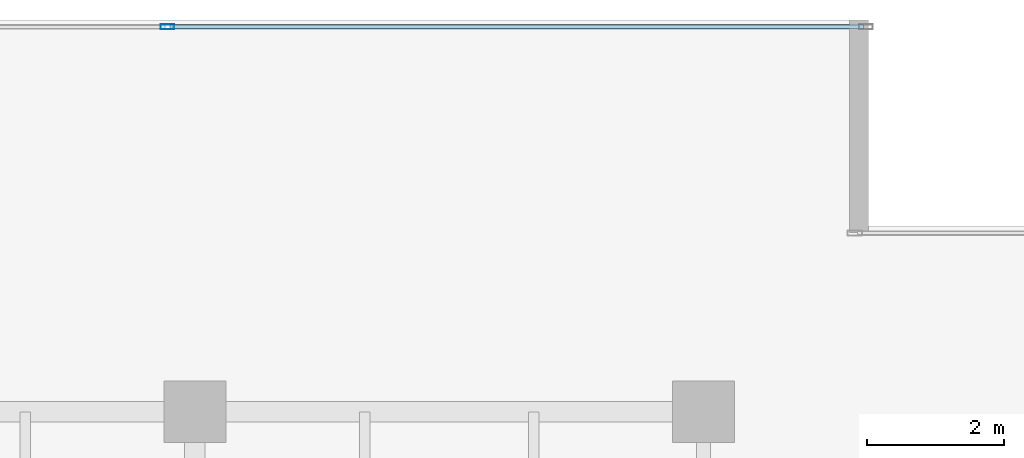
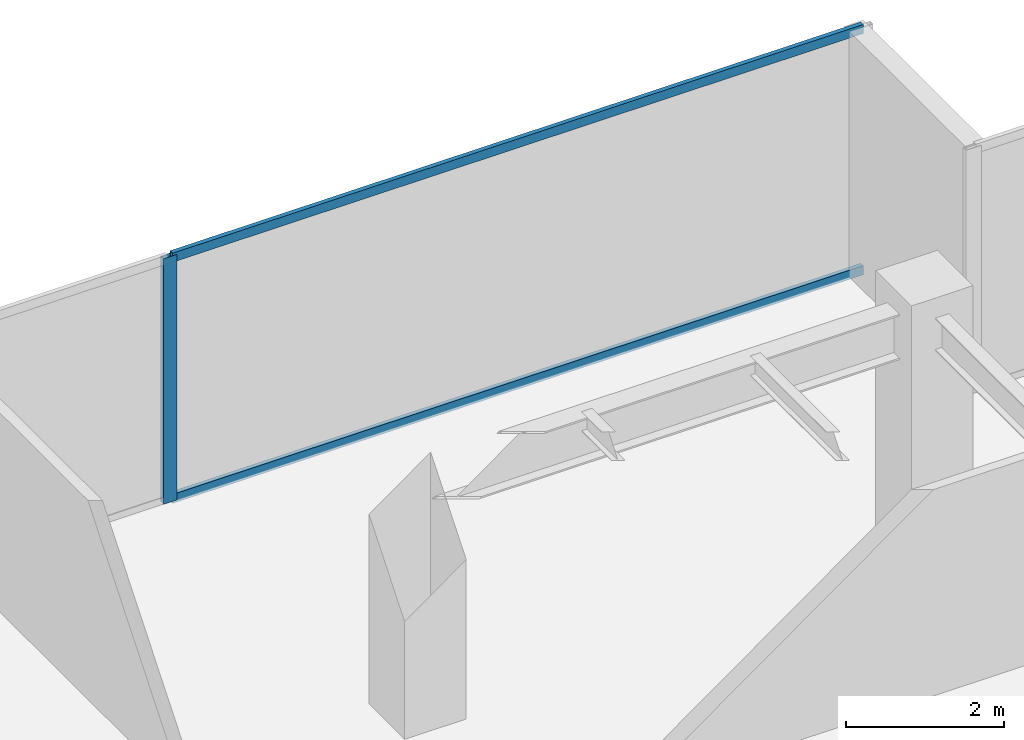
# One storey, part 20 of 30: 3 members, 1 element without a shape of its own.
"""IFC4 building model written with IfcOpenShell, lengths in metres."""

from ifc_helpers import new_model, si_unit, direction, frame, origin, origin_2d, place, context, subcontext, project, spatial, hollow_rectangle, extrude, source, transform, mapped, material, layer, layer_set, material_profile, profile_set, type_object, type_shapes, element, aggregate, save


model = new_model("IFC4")

# Units and contexts
model_context = context("Model", 3, precision=1e-05, world=origin(), true_north=direction((0.0, 1.0)))
body_context = subcontext(model_context, "Body", "Model", "MODEL_VIEW")
ifc_project = project(units=[si_unit("LENGTHUNIT", "METRE"), si_unit("AREAUNIT", "SQUARE_METRE"), si_unit("VOLUMEUNIT", "CUBIC_METRE"), si_unit("PLANEANGLEUNIT", "RADIAN"), si_unit("MASSUNIT", "GRAM", prefix="KILO")], contexts=[model_context])

# Site, building, storey
site_placement = place(None, origin())
site = spatial("IfcSite", under=ifc_project, at=site_placement, CompositionType="ELEMENT")
building_placement = place(site_placement, origin())
building = spatial("IfcBuilding", under=site, at=building_placement, Name="Haelvirn Gate Laboratories", CompositionType="ELEMENT")
storey_placement = place(building_placement, frame((0.0, 0.0, 162.5)))
storey = spatial("IfcBuildingStorey", under=building, at=storey_placement, Name="L39", CompositionType="ELEMENT", Elevation=162.5)

# Curtain wall, members
ifc_material_1 = material(Name="Anodised bronze unitised aluminium & triple low-E glass", Category="aluminium")
ifc_layer = layer(ifc_material_1, 0.179931640625, Name="CW-SYS-3")
ifc_layer_set = layer_set([ifc_layer], Name="Anodised bronze unitised aluminium & triple low-E glass")
curtain_wall_type = type_object("IfcCurtainWallType", Name="CW-SYS-3", PredefinedType="NOTDEFINED", material=ifc_layer_set)
curtain_wall_placement = place(storey_placement, origin())
curtain_wall = element("IfcCurtainWall", 1, at=curtain_wall_placement, inside=storey, type_object=curtain_wall_type, Name="L39 Unitised Curtain Wall CW-L39-P0-E10-1", PredefinedType="NOTDEFINED")
ifc_material_2 = material(Name="Extruded aluminium 6063-T6 (anodised bronze)", Category="aluminium")
ifc_material_profile_1 = material_profile(ifc_material_2, hollow_rectangle(XDim=0.06494140625, YDim=0.139892578125, WallThickness=0.00390625, at=origin_2d()), Name="CWT-140x65x4")
ifc_profile_set_1 = profile_set([ifc_material_profile_1], Name="Extruded aluminium 6063-T6 (anodised bronze)")
member_type_1 = type_object("IfcMemberType", Name="CWT-T140", PredefinedType="USERDEFINED", material=ifc_profile_set_1)
shared_shape_1 = source(origin(), body_context, "Body", "SweptSolid", [
    extrude(hollow_rectangle(XDim=0.06494140625, YDim=0.139892578125, WallThickness=0.00390625, at=origin_2d()), origin(), (0.0, 0.0, 1.0), 10.087646484375),
])
type_shapes(member_type_1, [shared_shape_1])
member_1_placement = place(storey_placement, frame((59.637451171875, 47.199951171875, 0.032470703125), z_axis=(1.0, 0.0, 0.0), x_axis=(0.0, 1.0, 0.0)))
member_1 = element("IfcMember", 2, at=member_1_placement, type_object=member_type_1, Name="CW3 transom 2.1", ObjectType="TRANSOM", PredefinedType="USERDEFINED", context=body_context, shape_type="MappedRepresentation", body=[
    mapped(shared_shape_1, transform((0.0, 0.0, 0.0), scale=1.0)),
])
member_2_placement = place(storey_placement, frame((59.637451171875, 47.199951171875, 3.757568359375), z_axis=(1.0, 0.0, 0.0), x_axis=(0.0, 1.0, 0.0)))
member_2 = element("IfcMember", 3, at=member_2_placement, type_object=member_type_1, Name="CW3 transom 2.2", ObjectType="TRANSOM", PredefinedType="USERDEFINED", context=body_context, shape_type="MappedRepresentation", body=[
    mapped(shared_shape_1, transform((0.0, 0.0, 0.0), scale=1.0)),
])
ifc_material_profile_2 = material_profile(ifc_material_2, hollow_rectangle(XDim=0.074951171875, YDim=0.199951171875, WallThickness=0.0048828125, at=origin_2d()), Name="CWM-200x75x5")
ifc_profile_set_2 = profile_set([ifc_material_profile_2], Name="Extruded aluminium 6063-T6 (anodised bronze)")
member_type_2 = type_object("IfcMemberType", Name="CWM-T200", PredefinedType="MULLION", material=ifc_profile_set_2)
shared_shape_2 = source(origin(), body_context, "Body", "SweptSolid", [
    extrude(hollow_rectangle(XDim=0.074951171875, YDim=0.199951171875, WallThickness=0.0048828125, at=origin_2d()), origin(), (0.0, 0.0, 1.0), 3.7900390625),
])
type_shapes(member_type_2, [shared_shape_2])
member_3_placement = place(storey_placement, frame((59.60009765625, 47.199951171875, 0.0), z_axis=(0.0, 0.0, 1.0), x_axis=(0.0, 1.0, 0.0)))
member_3 = element("IfcMember", 4, at=member_3_placement, type_object=member_type_2, Name="CW3 mullion 2", PredefinedType="MULLION", context=body_context, shape_type="MappedRepresentation", body=[
    mapped(shared_shape_2, transform((0.0, 0.0, 0.0), scale=1.0)),
])
aggregate(curtain_wall, [member_3, member_1, member_2])

save(model, "model.ifc")
